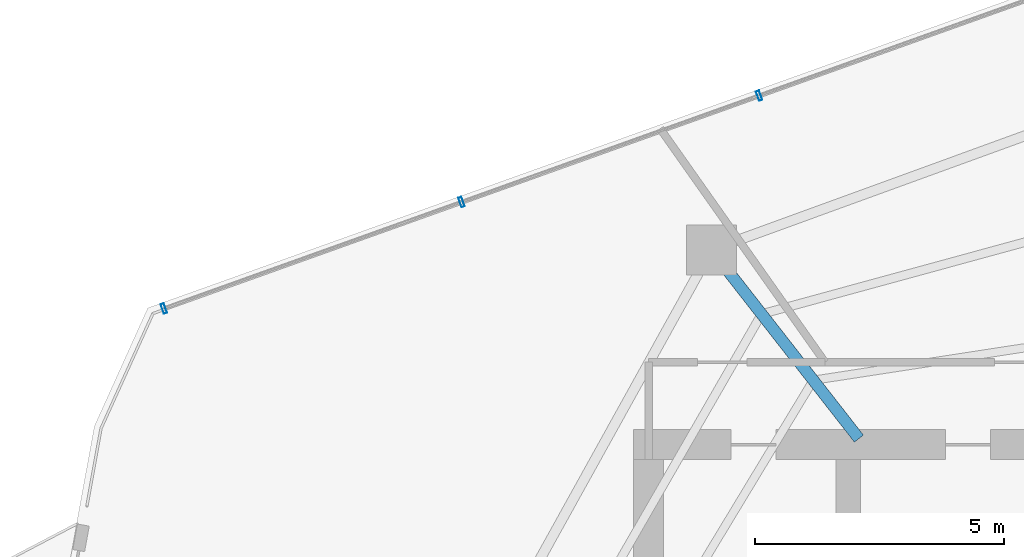
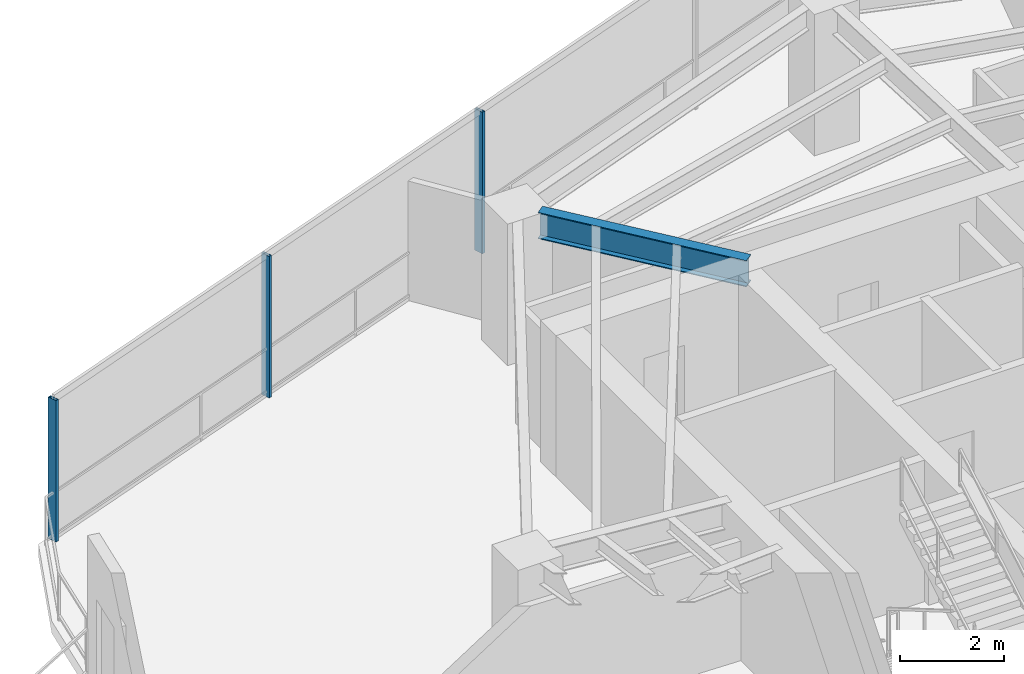
# One storey, part 12 of 21: 3 members, 1 beam, 1 element without a shape of its own.
"""IFC4 building model written with IfcOpenShell, lengths in metres."""

from ifc_helpers import new_model, si_unit, direction, frame, origin, origin_2d, place, context, subcontext, project, spatial, hollow_rectangle, i_section, extrude, material, layer, layer_set, material_profile, profile_set, type_object, element, aggregate, save


model = new_model("IFC4")

# Units and contexts
model_context = context("Model", 3, precision=1e-05, world=origin(), true_north=direction((0.0, 1.0)))
body_context = subcontext(model_context, "Body", "Model", "MODEL_VIEW")
ifc_project = project(units=[si_unit("LENGTHUNIT", "METRE"), si_unit("AREAUNIT", "SQUARE_METRE"), si_unit("VOLUMEUNIT", "CUBIC_METRE"), si_unit("PLANEANGLEUNIT", "RADIAN"), si_unit("MASSUNIT", "GRAM", prefix="KILO")], contexts=[model_context])

# Site, building, storey
site_placement = place(None, origin())
site = spatial("IfcSite", under=ifc_project, at=site_placement, CompositionType="ELEMENT")
building_placement = place(site_placement, origin())
building = spatial("IfcBuilding", under=site, at=building_placement, Name="Qarnah Convention Tower", CompositionType="ELEMENT")
storey_placement = place(building_placement, frame((0.0, 0.0, 140.10009765625)))
storey = spatial("IfcBuildingStorey", under=building, at=storey_placement, Name="L37", CompositionType="ELEMENT", Elevation=140.10009765625)

# Beam
ifc_material_1 = material(Name="Structural steel S355JR", Category="steel")
ifc_material_profile_1 = material_profile(ifc_material_1, i_section(OverallWidth=0.22998046875, OverallDepth=0.617919921875, WebThickness=0.012939453125, FlangeThickness=0.02197265625, at=origin_2d()), Name="W610X140")
ifc_profile_set_1 = profile_set([ifc_material_profile_1], Name="Structural steel S355JR")
beam_type = type_object("IfcBeamType", Name="BM-RAD-W610A", PredefinedType="BEAM", material=ifc_profile_set_1)
beam_placement = place(storey_placement, frame((31.013916015625, 34.318115234375, 3.010986328125), z_axis=(-0.615636368947, 0.788030368215, 0.0), x_axis=(-0.788030368215, -0.615636368947, 0.0)))
element("IfcBeam", 1, at=beam_placement, inside=storey, type_object=beam_type, Name="L37 beam BM-L37-RAD-04", PredefinedType="BEAM", context=body_context, shape_type="SweptSolid", body=[
    extrude(i_section(OverallWidth=0.22998046875, OverallDepth=0.617919921875, WebThickness=0.012939453125, FlangeThickness=0.02197265625, at=origin_2d()), origin(), (0.0, 0.0, 1.0), 4.322265625),
])

# Curtain wall, members
ifc_material_2 = material(Name="Tempered Low-E dark glass", Category="glass")
ifc_layer = layer(ifc_material_2, 0.172119140625)
ifc_layer_set = layer_set([ifc_layer], Name="Tempered Low-E dark glass")
curtain_wall_type = type_object("IfcCurtainWallType", Name="CWS-03", PredefinedType="NOTDEFINED", material=ifc_layer_set)
curtain_wall_placement = place(storey_placement, origin())
curtain_wall = element("IfcCurtainWall", 2, at=curtain_wall_placement, inside=storey, type_object=curtain_wall_type, Name="L37 unitised curtain wall CW-L37-F3", PredefinedType="NOTDEFINED")
ifc_material_3 = material(Name="Black anodised aluminium", Category="aluminium")
ifc_material_profile_2 = material_profile(ifc_material_3, hollow_rectangle(XDim=0.070068359375, YDim=0.199951171875, WallThickness=0.0048828125, at=origin_2d()), Name="MUL-70X200")
ifc_profile_set_2 = profile_set([ifc_material_profile_2], Name="Black anodised aluminium")
member_type = type_object("IfcMemberType", Name="MUL-T3", PredefinedType="MULLION", material=ifc_profile_set_2)
member_1_placement = place(storey_placement, frame((17.08203125, 36.925048828125, 0.0), z_axis=(0.0, 0.0, 1.0), x_axis=(0.941577546205, 0.336796265543, 0.0)))
member_1 = element("IfcMember", 3, at=member_1_placement, type_object=member_type, Name="CW-L37-F3 mullion 1", PredefinedType="MULLION", context=body_context, shape_type="SweptSolid", body=[
    extrude(hollow_rectangle(XDim=0.070068359375, YDim=0.199951171875, WallThickness=0.0048828125, at=origin_2d()), origin(), (0.0, 0.0, 1.0), 3.31982421875),
])
member_2_placement = place(storey_placement, frame((23.048095703125, 39.05908203125, 0.0), z_axis=(0.0, 0.0, 1.0), x_axis=(0.941577546205, 0.336796265543, 0.0)))
member_2 = element("IfcMember", 4, at=member_2_placement, type_object=member_type, Name="CW-L37-F3 mullion 2", PredefinedType="MULLION", context=body_context, shape_type="SweptSolid", body=[
    extrude(hollow_rectangle(XDim=0.070068359375, YDim=0.199951171875, WallThickness=0.0048828125, at=origin_2d()), origin(), (0.0, 0.0, 1.0), 3.31982421875),
])
member_3_placement = place(storey_placement, frame((29.013916015625, 41.193115234375, 0.0), z_axis=(0.0, 0.0, 1.0), x_axis=(0.941577546205, 0.336796265543, 0.0)))
member_3 = element("IfcMember", 5, at=member_3_placement, type_object=member_type, Name="CW-L37-F3 mullion 3", PredefinedType="MULLION", context=body_context, shape_type="SweptSolid", body=[
    extrude(hollow_rectangle(XDim=0.070068359375, YDim=0.199951171875, WallThickness=0.0048828125, at=origin_2d()), origin(), (0.0, 0.0, 1.0), 3.31982421875),
])
aggregate(curtain_wall, [member_1, member_2, member_3])

save(model, "model.ifc")
